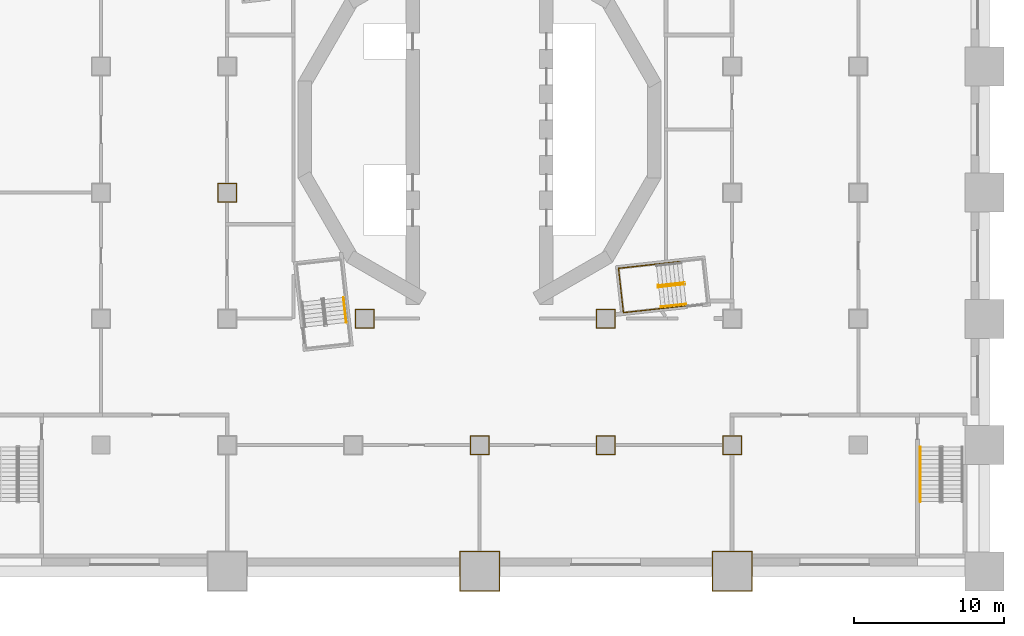
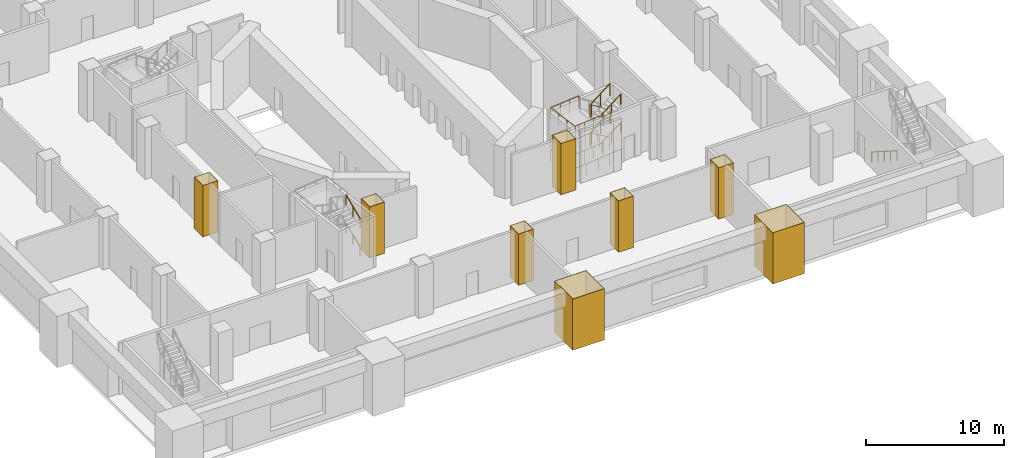
# One storey, part 10 of 17: 12 railings, 8 coverings.
"""IFC4 building model written with IfcOpenShell, lengths in metres."""

from ifc_helpers import new_model, si_unit, direction, frame, origin, origin_2d, place, context, subcontext, project, spatial, polyline, circle, outline, extrude, material, layer, layer_set, type_object, element, save


model = new_model("IFC4")

# Units and contexts
model_context = context("Model", 3, precision=1e-05, world=origin(), true_north=direction((0.0, 1.0)))
body_context = subcontext(model_context, "Body", "Model", "MODEL_VIEW")
ifc_project = project(units=[si_unit("LENGTHUNIT", "METRE"), si_unit("AREAUNIT", "SQUARE_METRE"), si_unit("VOLUMEUNIT", "CUBIC_METRE"), si_unit("PLANEANGLEUNIT", "RADIAN"), si_unit("MASSUNIT", "GRAM", prefix="KILO")], contexts=[model_context])

# Site, building, storey
site_placement = place(None, origin())
site = spatial("IfcSite", under=ifc_project, at=site_placement, CompositionType="ELEMENT")
building_placement = place(site_placement, origin())
building = spatial("IfcBuilding", under=site, at=building_placement, Name="Cantera Rosa Tower", CompositionType="ELEMENT")
storey_placement = place(building_placement, frame((0.0, 0.0, 32.0)))
storey = spatial("IfcBuildingStorey", under=building, at=storey_placement, Name="L05", CompositionType="ELEMENT", Elevation=32.0)

# Coverings
ifc_material_1 = material(Name="Plaster")
ifc_layer = layer(ifc_material_1, 0.030029296875)
ifc_layer_set = layer_set([ifc_layer], Name="Column casing 30")
covering_type = type_object("IfcCoveringType", Name="Column casing 30", PredefinedType="CLADDING", material=ifc_layer_set)
covering_1_placement = place(storey_placement, origin())
element("IfcCovering", 1, at=covering_1_placement, inside=storey, type_object=covering_type, Name="Column casing L05-008", PredefinedType="CLADDING", context=body_context, shape_type="SweptSolid", body=[
    extrude(outline(polyline([(-17.429931640625, -4.830078125), (-16.169921875, -4.830078125), (-16.169921875, -3.570068359375), (-17.429931640625, -3.570068359375), (-17.429931640625, -4.830078125)]), holes=[polyline([(-16.199951171875, -3.60009765625), (-17.39990234375, -3.60009765625), (-17.39990234375, -4.800048828125), (-16.199951171875, -4.800048828125), (-16.199951171875, -3.60009765625)])]), origin(), (0.0, 0.0, 1.0), 4.550048828125),
])
covering_2_placement = place(storey_placement, origin())
element("IfcCovering", 2, at=covering_2_placement, inside=storey, type_object=covering_type, Name="Column casing L05-014", PredefinedType="CLADDING", context=body_context, shape_type="SweptSolid", body=[
    extrude(outline(polyline([(-8.280029296875, -13.22998046875), (-7.02001953125, -13.22998046875), (-7.02001953125, -11.969970703125), (-8.280029296875, -11.969970703125), (-8.280029296875, -13.22998046875)]), holes=[polyline([(-7.050048828125, -12.0), (-8.25, -12.0), (-8.25, -13.199951171875), (-7.050048828125, -13.199951171875), (-7.050048828125, -12.0)])]), origin(), (0.0, 0.0, 1.0), 4.550048828125),
])
covering_3_placement = place(storey_placement, origin())
element("IfcCovering", 3, at=covering_3_placement, inside=storey, type_object=covering_type, Name="Column casing L05-017", PredefinedType="CLADDING", context=body_context, shape_type="SweptSolid", body=[
    extrude(outline(polyline([(-1.330078125, -30.72998046875), (1.330078125, -30.72998046875), (1.330078125, -28.070068359375), (-1.330078125, -28.070068359375), (-1.330078125, -30.72998046875)]), holes=[polyline([(1.300048828125, -28.10009765625), (-1.300048828125, -28.10009765625), (-1.300048828125, -30.699951171875), (1.300048828125, -30.699951171875), (1.300048828125, -28.10009765625)])]), origin(), (0.0, 0.0, 1.0), 4.550048828125),
])
covering_4_placement = place(storey_placement, origin())
element("IfcCovering", 4, at=covering_4_placement, inside=storey, type_object=covering_type, Name="Column casing L05-018", PredefinedType="CLADDING", context=body_context, shape_type="SweptSolid", body=[
    extrude(outline(polyline([(-0.6298828125, -21.6298828125), (0.6298828125, -21.6298828125), (0.6298828125, -20.3701171875), (-0.6298828125, -20.3701171875), (-0.6298828125, -21.6298828125)]), holes=[polyline([(0.60009765625, -20.39990234375), (-0.60009765625, -20.39990234375), (-0.60009765625, -21.60009765625), (0.60009765625, -21.60009765625), (0.60009765625, -20.39990234375)])]), origin(), (0.0, 0.0, 1.0), 4.550048828125),
])
covering_5_placement = place(storey_placement, origin())
element("IfcCovering", 5, at=covering_5_placement, inside=storey, type_object=covering_type, Name="Column casing L05-020", PredefinedType="CLADDING", context=body_context, shape_type="SweptSolid", body=[
    extrude(outline(polyline([(7.77001953125, -21.6298828125), (9.030029296875, -21.6298828125), (9.030029296875, -20.3701171875), (7.77001953125, -20.3701171875), (7.77001953125, -21.6298828125)]), holes=[polyline([(9.0, -20.39990234375), (7.800048828125, -20.39990234375), (7.800048828125, -21.60009765625), (9.0, -21.60009765625), (9.0, -20.39990234375)])]), origin(), (0.0, 0.0, 1.0), 4.550048828125),
])
covering_6_placement = place(storey_placement, origin())
element("IfcCovering", 6, at=covering_6_placement, inside=storey, type_object=covering_type, Name="Column casing L05-021", PredefinedType="CLADDING", context=body_context, shape_type="SweptSolid", body=[
    extrude(outline(polyline([(7.77001953125, -13.22998046875), (9.030029296875, -13.22998046875), (9.030029296875, -11.969970703125), (7.77001953125, -11.969970703125), (7.77001953125, -13.22998046875)]), holes=[polyline([(9.0, -12.0), (7.800048828125, -12.0), (7.800048828125, -13.199951171875), (9.0, -13.199951171875), (9.0, -12.0)])]), origin(), (0.0, 0.0, 1.0), 4.550048828125),
])
covering_7_placement = place(storey_placement, origin())
element("IfcCovering", 7, at=covering_7_placement, inside=storey, type_object=covering_type, Name="Column casing L05-024", PredefinedType="CLADDING", context=body_context, shape_type="SweptSolid", body=[
    extrude(outline(polyline([(15.469970703125, -30.72998046875), (18.1298828125, -30.72998046875), (18.1298828125, -28.070068359375), (15.469970703125, -28.070068359375), (15.469970703125, -30.72998046875)]), holes=[polyline([(18.10009765625, -28.10009765625), (15.5, -28.10009765625), (15.5, -30.699951171875), (18.10009765625, -30.699951171875), (18.10009765625, -28.10009765625)])]), origin(), (0.0, 0.0, 1.0), 4.550048828125),
])
covering_8_placement = place(storey_placement, origin())
element("IfcCovering", 8, at=covering_8_placement, inside=storey, type_object=covering_type, Name="Column casing L05-025", PredefinedType="CLADDING", context=body_context, shape_type="SweptSolid", body=[
    extrude(outline(polyline([(16.169921875, -21.6298828125), (17.429931640625, -21.6298828125), (17.429931640625, -20.3701171875), (16.169921875, -20.3701171875), (16.169921875, -21.6298828125)]), holes=[polyline([(17.39990234375, -20.39990234375), (16.199951171875, -20.39990234375), (16.199951171875, -21.60009765625), (17.39990234375, -21.60009765625), (17.39990234375, -20.39990234375)])]), origin(), (0.0, 0.0, 1.0), 4.550048828125),
])

# Railings
ifc_material_2 = material(Name="Steel S355J2 (EN 10025-2)", Category="steel")
railing_type_1 = type_object("IfcRailingType", Name="STAIR GUARD 1100", PredefinedType="GUARDRAIL", material=ifc_material_2)
railing_1_placement = place(storey_placement, frame((13.5859375, -10.19677734375, 0.178466796875)))
element("IfcRailing", 9, at=railing_1_placement, inside=storey, type_object=railing_type_1, Name="L05 ST-14 stair guard 1", PredefinedType="GUARDRAIL", context=body_context, shape_type="SweptSolid", body=[
    extrude(circle(Radius=0.02392578125, at=origin_2d()), frame((0.0, 0.0, 1.076171875), z_axis=(-0.837950904326, -0.092996744609, 0.537763784046), x_axis=(0.110303920128, -0.993897904819, 0.0)), (0.0, 0.0, 1.0), 1.99267578125),
    extrude(circle(Radius=0.02392578125, at=origin_2d()), frame((-1.669677734375, -0.185302734375, 2.1474609375), z_axis=(-0.932897555956, 0.360141847183, 0.0), x_axis=(-0.360141847183, -0.932897555956, 0.0)), (0.0, 0.0, 1.0), 0.05615234375),
    extrude(circle(Radius=0.02392578125, at=origin_2d()), frame((-1.72216796875, -0.1650390625, 2.1474609375), z_axis=(0.110610055588, -0.993863881828, 0.0), x_axis=(0.993863881828, 0.110610055588, 0.0)), (0.0, 0.0, 1.0), 0.150146484375),
    extrude(circle(Radius=0.02099609375, at=origin_2d()), origin(), (0.0, 0.0, 1.0), 1.052001953125),
    extrude(circle(Radius=0.02099609375, at=origin_2d()), frame((-0.8349609375, -0.0927734375, 0.53564453125)), (0.0, 0.0, 1.0), 1.052001953125),
    extrude(circle(Radius=0.02099609375, at=origin_2d()), frame((-1.669677734375, -0.185302734375, 1.071533203125)), (0.0, 0.0, 1.0), 1.052001953125),
    extrude(circle(Radius=0.02099609375, at=origin_2d()), frame((-1.72216796875, -0.1650390625, 1.071533203125)), (0.0, 0.0, 1.0), 1.052001953125),
    extrude(circle(Radius=0.02099609375, at=origin_2d()), frame((-1.70556640625, -0.314208984375, 1.071533203125)), (0.0, 0.0, 1.0), 1.052001953125),
])
railing_2_placement = place(storey_placement, frame((11.927001953125, -10.4794921875, 1.428466796875)))
element("IfcRailing", 10, at=railing_2_placement, inside=storey, type_object=railing_type_1, Name="L05 ST-14 stair guard 2", PredefinedType="GUARDRAIL", context=body_context, shape_type="SweptSolid", body=[
    extrude(circle(Radius=0.02392578125, at=origin_2d()), frame((0.0, 0.0, 1.076171875), z_axis=(0.837987391448, 0.092987197384, 0.537708576179), x_axis=(-0.11028798999, 0.993899672635, 0.0)), (0.0, 0.0, 1.0), 1.99267578125),
    extrude(circle(Radius=0.02392578125, at=origin_2d()), frame((1.669921875, 0.185302734375, 2.1474609375), z_axis=(0.931434406233, -0.363909256389, 0.0), x_axis=(0.363909256389, 0.931434406233, 0.0)), (0.0, 0.0, 1.0), 0.056396484375),
    extrude(circle(Radius=0.02392578125, at=origin_2d()), frame((1.722412109375, 0.164794921875, 2.1474609375), z_axis=(-0.110610055588, 0.993863881828, 0.0), x_axis=(-0.993863881828, -0.110610055588, 0.0)), (0.0, 0.0, 1.0), 0.150146484375),
    extrude(circle(Radius=0.02099609375, at=origin_2d()), origin(), (0.0, 0.0, 1.0), 1.052001953125),
    extrude(circle(Radius=0.02099609375, at=origin_2d()), frame((0.8349609375, 0.0927734375, 0.53564453125)), (0.0, 0.0, 1.0), 1.052001953125),
    extrude(circle(Radius=0.02099609375, at=origin_2d()), frame((1.669921875, 0.185302734375, 1.071533203125)), (0.0, 0.0, 1.0), 1.052001953125),
    extrude(circle(Radius=0.02099609375, at=origin_2d()), frame((1.722412109375, 0.164794921875, 1.071533203125)), (0.0, 0.0, 1.0), 1.052001953125),
    extrude(circle(Radius=0.02099609375, at=origin_2d()), frame((1.705810546875, 0.31396484375, 1.071533203125)), (0.0, 0.0, 1.0), 1.052001953125),
])
railing_3_placement = place(storey_placement, frame((13.5859375, -10.19677734375, 2.678466796875)))
element("IfcRailing", 11, at=railing_3_placement, inside=storey, type_object=railing_type_1, Name="L05 ST-14 stair guard 3", PredefinedType="GUARDRAIL", context=body_context, shape_type="SweptSolid", body=[
    extrude(circle(Radius=0.02392578125, at=origin_2d()), frame((0.0, 0.0, 1.076171875), z_axis=(-0.837950904326, -0.092996744609, 0.537763784046), x_axis=(0.110303920128, -0.993897904819, 0.0)), (0.0, 0.0, 1.0), 1.99267578125),
    extrude(circle(Radius=0.02392578125, at=origin_2d()), frame((-1.669677734375, -0.185302734375, 2.1474609375), z_axis=(-0.932897555956, 0.360141847183, 0.0), x_axis=(-0.360141847183, -0.932897555956, 0.0)), (0.0, 0.0, 1.0), 0.05615234375),
    extrude(circle(Radius=0.02392578125, at=origin_2d()), frame((-1.72216796875, -0.1650390625, 2.1474609375), z_axis=(0.110610055588, -0.993863881828, 0.0), x_axis=(0.993863881828, 0.110610055588, 0.0)), (0.0, 0.0, 1.0), 0.150146484375),
    extrude(circle(Radius=0.02099609375, at=origin_2d()), origin(), (0.0, 0.0, 1.0), 1.052001953125),
    extrude(circle(Radius=0.02099609375, at=origin_2d()), frame((-0.8349609375, -0.0927734375, 0.53564453125)), (0.0, 0.0, 1.0), 1.052001953125),
    extrude(circle(Radius=0.02099609375, at=origin_2d()), frame((-1.669677734375, -0.185302734375, 1.071533203125)), (0.0, 0.0, 1.0), 1.052001953125),
    extrude(circle(Radius=0.02099609375, at=origin_2d()), frame((-1.72216796875, -0.1650390625, 1.071533203125)), (0.0, 0.0, 1.0), 1.052001953125),
    extrude(circle(Radius=0.02099609375, at=origin_2d()), frame((-1.70556640625, -0.314208984375, 1.071533203125)), (0.0, 0.0, 1.0), 1.052001953125),
])
railing_4_placement = place(storey_placement, frame((11.927001953125, -10.4794921875, 3.928466796875)))
element("IfcRailing", 12, at=railing_4_placement, inside=storey, type_object=railing_type_1, Name="L05 ST-14 stair guard 4", PredefinedType="GUARDRAIL", context=body_context, shape_type="SweptSolid", body=[
    extrude(circle(Radius=0.02392578125, at=origin_2d()), frame((0.0, 0.0, 1.076171875), z_axis=(0.837987391448, 0.092987197384, 0.537708576179), x_axis=(-0.11028798999, 0.993899672635, 0.0)), (0.0, 0.0, 1.0), 1.99267578125),
    extrude(circle(Radius=0.02099609375, at=origin_2d()), origin(), (0.0, 0.0, 1.0), 1.052001953125),
    extrude(circle(Radius=0.02099609375, at=origin_2d()), frame((0.8349609375, 0.0927734375, 0.53564453125)), (0.0, 0.0, 1.0), 1.052001953125),
    extrude(circle(Radius=0.02099609375, at=origin_2d()), frame((1.669921875, 0.185302734375, 1.071533203125)), (0.0, 0.0, 1.0), 1.052001953125),
])
railing_5_placement = place(storey_placement, frame((13.415771484375, -8.77099609375, 0.0)))
element("IfcRailing", 13, at=railing_5_placement, inside=storey, type_object=railing_type_1, Name="L05 ST-14 stair guard 6", PredefinedType="GUARDRAIL", context=body_context, shape_type="SweptSolid", body=[
    extrude(circle(Radius=0.02392578125, at=origin_2d()), frame((0.0, 0.0, 1.076171875), z_axis=(-0.9938957856, -0.110323013767, 0.0), x_axis=(0.110323013767, -0.9938957856, 0.0)), (0.0, 0.0, 1.0), 4.197998046875),
    extrude(circle(Radius=0.02392578125, at=origin_2d()), frame((-4.17236328125, -0.463134765625, 1.076171875), z_axis=(0.110314237986, -0.993896759678, 0.0), x_axis=(0.993896759678, 0.110314237986, 0.0)), (0.0, 0.0, 1.0), 2.969970703125),
    extrude(circle(Radius=0.02392578125, at=origin_2d()), frame((-3.8447265625, -3.4150390625, 1.076171875), z_axis=(0.9938957856, 0.110323013767, 0.0), x_axis=(-0.110323013767, 0.9938957856, 0.0)), (0.0, 0.0, 1.0), 4.197998046875),
    extrude(circle(Radius=0.02099609375, at=origin_2d()), origin(), (0.0, 0.0, 1.0), 1.052001953125),
    extrude(circle(Radius=0.02099609375, at=origin_2d()), frame((-1.04296875, -0.11572265625, 0.0)), (0.0, 0.0, 1.0), 1.052001953125),
    extrude(circle(Radius=0.02099609375, at=origin_2d()), frame((-2.086181640625, -0.2314453125, 0.0)), (0.0, 0.0, 1.0), 1.052001953125),
    extrude(circle(Radius=0.02099609375, at=origin_2d()), frame((-3.12939453125, -0.347412109375, 0.0)), (0.0, 0.0, 1.0), 1.052001953125),
    extrude(circle(Radius=0.02099609375, at=origin_2d()), frame((-4.17236328125, -0.463134765625, 0.0)), (0.0, 0.0, 1.0), 1.052001953125),
    extrude(circle(Radius=0.02099609375, at=origin_2d()), frame((-4.063232421875, -1.447021484375, 0.0)), (0.0, 0.0, 1.0), 1.052001953125),
    extrude(circle(Radius=0.02099609375, at=origin_2d()), frame((-3.953857421875, -2.43115234375, 0.0)), (0.0, 0.0, 1.0), 1.052001953125),
    extrude(circle(Radius=0.02099609375, at=origin_2d()), frame((-3.8447265625, -3.4150390625, 0.0)), (0.0, 0.0, 1.0), 1.052001953125),
    extrude(circle(Radius=0.02099609375, at=origin_2d()), frame((-2.8017578125, -3.29931640625, 0.0)), (0.0, 0.0, 1.0), 1.052001953125),
    extrude(circle(Radius=0.02099609375, at=origin_2d()), frame((-1.758544921875, -3.18359375, 0.0)), (0.0, 0.0, 1.0), 1.052001953125),
    extrude(circle(Radius=0.02099609375, at=origin_2d()), frame((-0.71533203125, -3.067626953125, 0.0)), (0.0, 0.0, 1.0), 1.052001953125),
    extrude(circle(Radius=0.02099609375, at=origin_2d()), frame((0.32763671875, -2.951904296875, 0.0)), (0.0, 0.0, 1.0), 1.052001953125),
])
railing_6_placement = place(storey_placement, frame((11.769775390625, -8.95361328125, 1.25)))
element("IfcRailing", 14, at=railing_6_placement, inside=storey, type_object=railing_type_1, Name="L05 ST-14 stair guard 7", PredefinedType="GUARDRAIL", context=body_context, shape_type="SweptSolid", body=[
    extrude(circle(Radius=0.02392578125, at=origin_2d()), frame((0.0, 0.0, 1.076171875), z_axis=(-0.993891931048, -0.110357733743, 0.0), x_axis=(0.110357733743, -0.993891931048, 0.0)), (0.0, 0.0, 1.0), 2.5419921875),
    extrude(circle(Radius=0.02392578125, at=origin_2d()), frame((-2.5263671875, -0.280517578125, 1.076171875), z_axis=(0.110314237986, -0.993896759678, 0.0), x_axis=(0.993896759678, 0.110314237986, 0.0)), (0.0, 0.0, 1.0), 2.969970703125),
    extrude(circle(Radius=0.02392578125, at=origin_2d()), frame((-2.19873046875, -3.232421875, 1.076171875), z_axis=(0.993891931048, 0.110357733743, 0.0), x_axis=(-0.110357733743, 0.993891931048, 0.0)), (0.0, 0.0, 1.0), 2.5419921875),
    extrude(circle(Radius=0.02099609375, at=origin_2d()), origin(), (0.0, 0.0, 1.0), 1.052001953125),
    extrude(circle(Radius=0.02099609375, at=origin_2d()), frame((-0.842041015625, -0.093505859375, 0.0)), (0.0, 0.0, 1.0), 1.052001953125),
    extrude(circle(Radius=0.02099609375, at=origin_2d()), frame((-1.684326171875, -0.18701171875, 0.0)), (0.0, 0.0, 1.0), 1.052001953125),
    extrude(circle(Radius=0.02099609375, at=origin_2d()), frame((-2.5263671875, -0.280517578125, 0.0)), (0.0, 0.0, 1.0), 1.052001953125),
    extrude(circle(Radius=0.02099609375, at=origin_2d()), frame((-2.417236328125, -1.264404296875, 0.0)), (0.0, 0.0, 1.0), 1.052001953125),
    extrude(circle(Radius=0.02099609375, at=origin_2d()), frame((-2.307861328125, -2.24853515625, 0.0)), (0.0, 0.0, 1.0), 1.052001953125),
    extrude(circle(Radius=0.02099609375, at=origin_2d()), frame((-2.19873046875, -3.232421875, 0.0)), (0.0, 0.0, 1.0), 1.052001953125),
    extrude(circle(Radius=0.02099609375, at=origin_2d()), frame((-1.356689453125, -3.138916015625, 0.0)), (0.0, 0.0, 1.0), 1.052001953125),
    extrude(circle(Radius=0.02099609375, at=origin_2d()), frame((-0.514404296875, -3.04541015625, 0.0)), (0.0, 0.0, 1.0), 1.052001953125),
    extrude(circle(Radius=0.02099609375, at=origin_2d()), frame((0.32763671875, -2.951904296875, 0.0)), (0.0, 0.0, 1.0), 1.052001953125),
])
railing_7_placement = place(storey_placement, frame((11.769775390625, -8.95361328125, 3.75)))
element("IfcRailing", 15, at=railing_7_placement, inside=storey, type_object=railing_type_1, Name="L05 ST-14 stair guard 9", PredefinedType="GUARDRAIL", context=body_context, shape_type="SweptSolid", body=[
    extrude(circle(Radius=0.02392578125, at=origin_2d()), frame((0.0, 0.0, 1.076171875), z_axis=(-0.993891931048, -0.110357733743, 0.0), x_axis=(0.110357733743, -0.993891931048, 0.0)), (0.0, 0.0, 1.0), 2.5419921875),
    extrude(circle(Radius=0.02392578125, at=origin_2d()), frame((-2.5263671875, -0.280517578125, 1.076171875), z_axis=(0.110314237986, -0.993896759678, 0.0), x_axis=(0.993896759678, 0.110314237986, 0.0)), (0.0, 0.0, 1.0), 2.969970703125),
    extrude(circle(Radius=0.02392578125, at=origin_2d()), frame((-2.19873046875, -3.232421875, 1.076171875), z_axis=(0.993891931048, 0.110357733743, 0.0), x_axis=(-0.110357733743, 0.993891931048, 0.0)), (0.0, 0.0, 1.0), 2.5419921875),
    extrude(circle(Radius=0.02099609375, at=origin_2d()), origin(), (0.0, 0.0, 1.0), 1.052001953125),
    extrude(circle(Radius=0.02099609375, at=origin_2d()), frame((-0.842041015625, -0.093505859375, 0.0)), (0.0, 0.0, 1.0), 1.052001953125),
    extrude(circle(Radius=0.02099609375, at=origin_2d()), frame((-1.684326171875, -0.18701171875, 0.0)), (0.0, 0.0, 1.0), 1.052001953125),
    extrude(circle(Radius=0.02099609375, at=origin_2d()), frame((-2.5263671875, -0.280517578125, 0.0)), (0.0, 0.0, 1.0), 1.052001953125),
    extrude(circle(Radius=0.02099609375, at=origin_2d()), frame((-2.417236328125, -1.264404296875, 0.0)), (0.0, 0.0, 1.0), 1.052001953125),
    extrude(circle(Radius=0.02099609375, at=origin_2d()), frame((-2.307861328125, -2.24853515625, 0.0)), (0.0, 0.0, 1.0), 1.052001953125),
    extrude(circle(Radius=0.02099609375, at=origin_2d()), frame((-2.19873046875, -3.232421875, 0.0)), (0.0, 0.0, 1.0), 1.052001953125),
    extrude(circle(Radius=0.02099609375, at=origin_2d()), frame((-1.356689453125, -3.138916015625, 0.0)), (0.0, 0.0, 1.0), 1.052001953125),
    extrude(circle(Radius=0.02099609375, at=origin_2d()), frame((-0.514404296875, -3.04541015625, 0.0)), (0.0, 0.0, 1.0), 1.052001953125),
    extrude(circle(Radius=0.02099609375, at=origin_2d()), frame((0.32763671875, -2.951904296875, 0.0)), (0.0, 0.0, 1.0), 1.052001953125),
])
ifc_material_3 = material(Name="Steel S355J2 (EN 10025-2)", Category="steel")
railing_type_2 = type_object("IfcRailingType", Name="STAIR HANDRAIL 900", PredefinedType="HANDRAIL", material=ifc_material_3)
for number, where, name in (
    (16, (-8.87890625, -12.83984375, 0.178466796875), "L05 ST-13 stair handrail 1"),
    (17, (-8.87890625, -12.83984375, 2.678466796875), "L05 ST-13 stair handrail 3"),
):
    element("IfcRailing", number, at=place(storey_placement, frame(where)), inside=storey, type_object=railing_type_2, Name=name, PredefinedType="HANDRAIL", context=body_context, shape_type="SweptSolid", body=[
        extrude(circle(Radius=0.02392578125, at=origin_2d()), frame((0.0, 0.0, 0.8759765625), z_axis=(-0.092987197384, 0.837987391448, 0.537708576179), x_axis=(-0.993899672635, -0.11028798999, 0.0)), (0.0, 0.0, 1.0), 1.99267578125),
        extrude(circle(Radius=0.02099609375, at=origin_2d()), origin(), (0.0, 0.0, 1.0), 0.851806640625),
        extrude(circle(Radius=0.02099609375, at=origin_2d()), frame((-0.0927734375, 0.8349609375, 0.53564453125)), (0.0, 0.0, 1.0), 0.851806640625),
        extrude(circle(Radius=0.02099609375, at=origin_2d()), frame((-0.185302734375, 1.669921875, 1.071533203125)), (0.0, 0.0, 1.0), 0.851806640625),
    ])
for number, where, name in (
    (18, (12.073486328125, -11.797607421875, 1.428466796875), "L05 ST-14 stair handrail 2"),
    (19, (12.073486328125, -11.797607421875, 3.928466796875), "L05 ST-14 stair handrail 4"),
):
    element("IfcRailing", number, at=place(storey_placement, frame(where)), inside=storey, type_object=railing_type_2, Name=name, PredefinedType="HANDRAIL", context=body_context, shape_type="SweptSolid", body=[
        extrude(circle(Radius=0.02392578125, at=origin_2d()), frame((0.0, 0.0, 0.8759765625), z_axis=(0.837941350202, 0.09311820824, 0.537757652586), x_axis=(-0.110447476434, 0.993881962282, 0.0)), (0.0, 0.0, 1.0), 1.99267578125),
        extrude(circle(Radius=0.02099609375, at=origin_2d()), origin(), (0.0, 0.0, 1.0), 0.851806640625),
        extrude(circle(Radius=0.02099609375, at=origin_2d()), frame((0.8349609375, 0.0927734375, 0.53564453125)), (0.0, 0.0, 1.0), 0.851806640625),
        extrude(circle(Radius=0.02099609375, at=origin_2d()), frame((1.669677734375, 0.185546875, 1.071533203125)), (0.0, 0.0, 1.0), 0.851806640625),
    ])
railing_8_placement = place(storey_placement, frame((29.324951171875, -21.125, 0.178466796875)))
element("IfcRailing", 20, at=railing_8_placement, inside=storey, type_object=railing_type_2, Name="L05 ST-SE stair handrail 1", PredefinedType="HANDRAIL", context=body_context, shape_type="SweptSolid", body=[
    extrude(circle(Radius=0.02392578125, at=origin_2d()), frame((0.0, 0.0, 0.8759765625), z_axis=(0.0, -0.843111507901, 0.53773877045), x_axis=(1.0, 0.0, 0.0)), (0.0, 0.0, 1.0), 4.317138671875),
    extrude(circle(Radius=0.02099609375, at=origin_2d()), origin(), (0.0, 0.0, 1.0), 0.851806640625),
    extrude(circle(Radius=0.02099609375, at=origin_2d()), frame((0.0, -0.909912109375, 0.580322265625)), (0.0, 0.0, 1.0), 0.851806640625),
    extrude(circle(Radius=0.02099609375, at=origin_2d()), frame((0.0, -1.81982421875, 1.16064453125)), (0.0, 0.0, 1.0), 0.851806640625),
    extrude(circle(Radius=0.02099609375, at=origin_2d()), frame((0.0, -2.72998046875, 1.7412109375)), (0.0, 0.0, 1.0), 0.851806640625),
    extrude(circle(Radius=0.02099609375, at=origin_2d()), frame((0.0, -3.639892578125, 2.321533203125)), (0.0, 0.0, 1.0), 0.851806640625),
])

save(model, "model.ifc")
